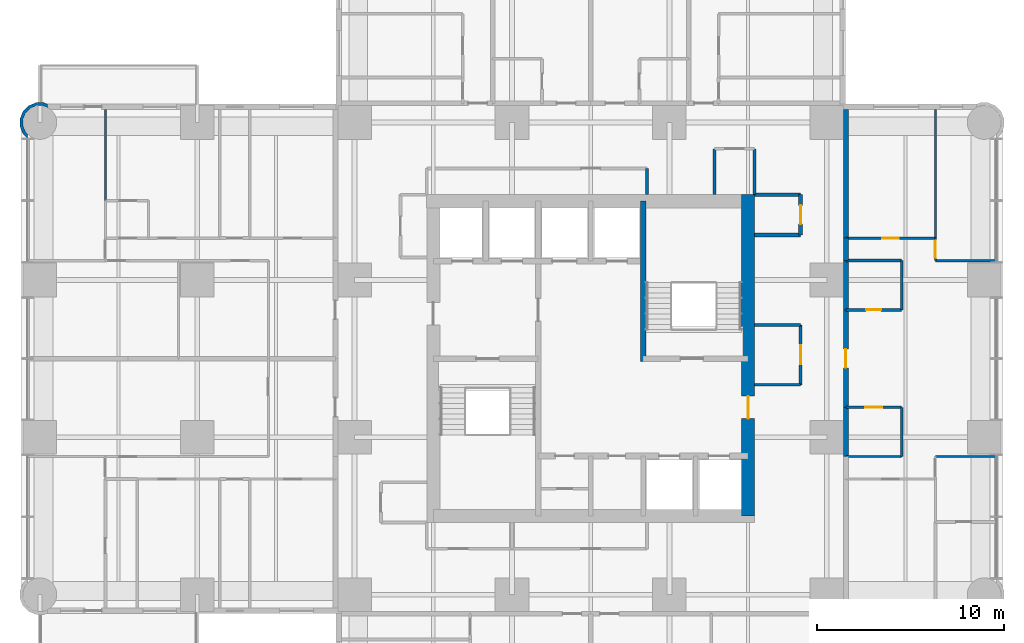
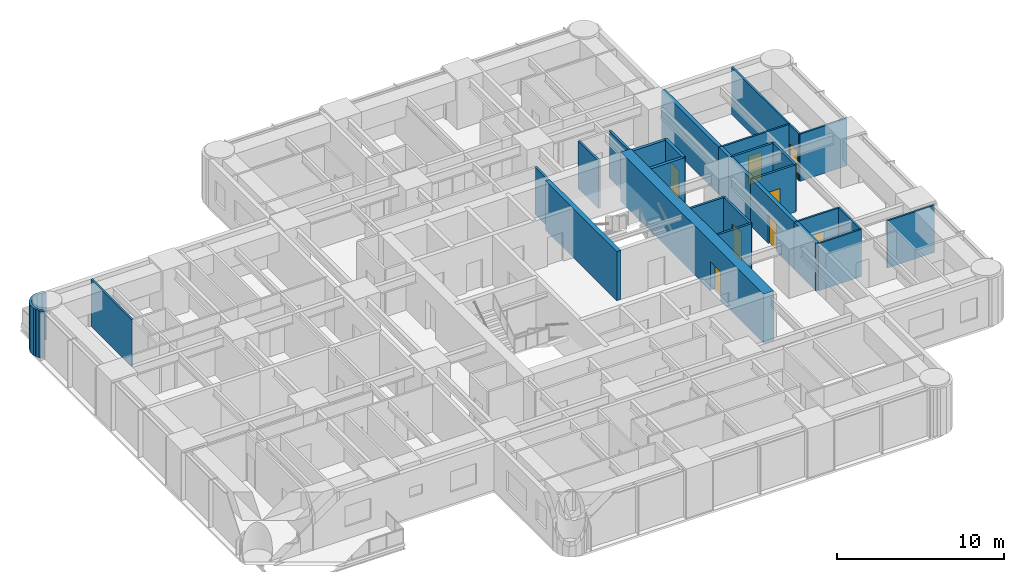
# One storey, part 8 of 11: 29 walls, 8 doors, 8 openings.
"""IFC4 building model written with IfcOpenShell, lengths in metres."""

from ifc_helpers import new_model, si_unit, direction, frame, frame_2d, origin, place, context, subcontext, project, spatial, polyline, rectangle, outline, extrude, material, layer, layer_set, type_object, element, fill, save


model = new_model("IFC4")

# Units and contexts
model_context = context("Model", 3, precision=1e-05, world=origin(), true_north=direction((0.0, 1.0)))
body_context = subcontext(model_context, "Body", "Model", "MODEL_VIEW")
ifc_project = project(units=[si_unit("LENGTHUNIT", "METRE"), si_unit("AREAUNIT", "SQUARE_METRE"), si_unit("VOLUMEUNIT", "CUBIC_METRE"), si_unit("PLANEANGLEUNIT", "RADIAN"), si_unit("MASSUNIT", "GRAM", prefix="KILO")], contexts=[model_context])

# Site, building, storey
site_placement = place(None, origin())
site = spatial("IfcSite", under=ifc_project, at=site_placement, CompositionType="ELEMENT")
building_placement = place(site_placement, origin())
building = spatial("IfcBuilding", under=site, at=building_placement, Name="Torre Alcanfor", CompositionType="ELEMENT")
storey_placement = place(building_placement, frame((0.0, 0.0, 186.89990234375)))
storey = spatial("IfcBuildingStorey", under=building, at=storey_placement, Name="L48", CompositionType="ELEMENT", Elevation=186.89990234375)

# Wall, opening, door
ifc_material_1 = material(Name="Concrete block masonry, hollow blocks NMX-C-404 9 MPa", Category="masonry")
ifc_layer_1 = layer(ifc_material_1, 0.25)
ifc_layer_set_1 = layer_set([ifc_layer_1], Name="Apartment entrance wall 250 EI 60")
wall_type_1 = type_object("IfcWallType", Name="Apartment entrance wall 250 EI 60", PredefinedType="PARTITIONING", material=ifc_layer_set_1)
wall_1_placement = place(storey_placement, frame((43.02490234375, 32.0, 0.0), z_axis=(0.0, 0.0, 1.0), x_axis=(0.0, -1.0, 0.0)))
wall_1 = element("IfcWall", 1, at=wall_1_placement, inside=storey, type_object=wall_type_1, Name="Partition L48-CORR / L48-EX-ZAG", PredefinedType="PARTITIONING", context=body_context, shape_type="SweptSolid", body=[
    extrude(rectangle(XDim=5.199951171875, YDim=0.25, at=frame_2d((2.60009765625, 0.0))), origin(), (0.0, 0.0, 1.0), 3.4501953125),
])
opening_1_placement = place(wall_1_placement, frame((2.10009765625, 0.0, 0.0)))
opening_1 = element("IfcOpeningElement", 2, at=opening_1_placement, cuts=wall_1, Name="Opening D-A1", PredefinedType="OPENING", context=body_context, shape_type="SweptSolid", body=[
    extrude(rectangle(XDim=1.0, YDim=2.10009765625, at=frame_2d((0.5, 1.050048828125))), frame((0.0, 0.135009765625, 0.0), z_axis=(0.0, -1.0, 0.0), x_axis=(1.0, 0.0, 0.0)), (0.0, 0.0, 1.0), 0.27001953125),
])
ifc_material_2 = material(Name="Galvanised steel sheet ASTM A653", Category="steel")
door_type_1 = type_object("IfcDoorType", Name="Apartment entrance door FD60 1000x2100", OperationType="SINGLE_SWING_LEFT", PredefinedType="DOOR", material=ifc_material_2)
door_1_placement = place(opening_1_placement, origin())
door_1 = element("IfcDoor", 3, at=door_1_placement, inside=storey, type_object=door_type_1, Name="Apartment entrance L48-EX", OperationType="SINGLE_SWING_LEFT", OverallHeight=2.10009765625, OverallWidth=1.0, PredefinedType="DOOR", context=body_context, shape_type="SweptSolid", body=[
    extrude(rectangle(XDim=1.0, YDim=2.10009765625, at=frame_2d((0.5, 1.050048828125))), frame((0.0, 0.02490234375, 0.0), z_axis=(0.0, -1.0, 0.0), x_axis=(1.0, 0.0, 0.0)), (0.0, 0.0, 1.0), 0.050048828125),
])
fill(opening_1, door_1)

# Walls
wall_2_placement = place(storey_placement, frame((43.02490234375, 34.62890625, 0.0), z_axis=(0.0, 0.0, 1.0), x_axis=(0.0, -1.0, 0.0)))
element("IfcWall", 4, at=wall_2_placement, inside=storey, type_object=wall_type_1, Name="Partition L48-CORR / L48-EX-BATH2", PredefinedType="PARTITIONING", context=body_context, shape_type="SweptSolid", body=[
    extrude(rectangle(XDim=2.62890625, YDim=0.25, at=frame_2d((1.314453125, 0.0))), origin(), (0.0, 0.0, 1.0), 3.4501953125),
])
wall_3_placement = place(storey_placement, frame((43.02490234375, 26.800048828125, 0.0), z_axis=(0.0, 0.0, 1.0), x_axis=(0.0, -1.0, 0.0)))
element("IfcWall", 5, at=wall_3_placement, inside=storey, type_object=wall_type_1, Name="Partition L48-CORR / L48-EX-KITCHEN", PredefinedType="PARTITIONING", context=body_context, shape_type="SweptSolid", body=[
    extrude(rectangle(XDim=2.629150390625, YDim=0.25, at=frame_2d((1.314453125, 0.0))), origin(), (0.0, 0.0, 1.0), 3.4501953125),
])
wall_4_placement = place(storey_placement, frame((43.02490234375, 35.8291015625, 0.0), z_axis=(0.0, 0.0, 1.0), x_axis=(0.0, -1.0, 0.0)))
element("IfcWall", 6, at=wall_4_placement, inside=storey, type_object=wall_type_1, Name="Partition L48-CORR / L48-EX-LIVING", PredefinedType="PARTITIONING", context=body_context, shape_type="SweptSolid", body=[
    extrude(rectangle(XDim=1.2001953125, YDim=0.25, at=frame_2d((0.60009765625, 0.0))), origin(), (0.0, 0.0, 1.0), 3.4501953125),
])
wall_5_placement = place(storey_placement, frame((43.02490234375, 42.699951171875, 0.0), z_axis=(0.0, 0.0, 1.0), x_axis=(0.0, -1.0, 0.0)))
element("IfcWall", 7, at=wall_5_placement, inside=storey, type_object=wall_type_1, Name="Partition L48-CORR / L48-EX-BED2", PredefinedType="PARTITIONING", context=body_context, shape_type="SweptSolid", body=[
    extrude(rectangle(XDim=6.870849609375, YDim=0.25, at=frame_2d((3.435546875, 0.0))), origin(), (0.0, 0.0, 1.0), 3.4501953125),
])

# Wall, opening, door
ifc_material_3 = material(Name="Gypsum board on steel studs", Category="steel")
ifc_layer_2 = layer(ifc_material_3, 0.1201171875)
ifc_layer_set_2 = layer_set([ifc_layer_2], Name="Apartment partition 120")
wall_type_2 = type_object("IfcWallType", Name="Apartment partition 120", PredefinedType="PARTITIONING", material=ifc_layer_set_2)
wall_6_placement = place(storey_placement, frame((43.02490234375, 26.800048828125, 0.0), z_axis=(0.0, 0.0, 1.0), x_axis=(1.0, 0.0, 0.0)))
wall_6 = element("IfcWall", 8, at=wall_6_placement, inside=storey, type_object=wall_type_2, Name="Partition L48-EX-ZAG / L48-EX-KITCHEN", PredefinedType="PARTITIONING", context=body_context, shape_type="SweptSolid", body=[
    extrude(rectangle(XDim=2.97509765625, YDim=0.1201171875, at=frame_2d((1.487548828125, 0.0))), origin(), (0.0, 0.0, 1.0), 3.4501953125),
])
opening_2_placement = place(wall_6_placement, frame((1.02490234375, 0.0, 0.0)))
opening_2 = element("IfcOpeningElement", 9, at=opening_2_placement, cuts=wall_6, Name="Opening D-R1", PredefinedType="OPENING", context=body_context, shape_type="SweptSolid", body=[
    extrude(rectangle(XDim=0.89990234375, YDim=2.10009765625, at=frame_2d((0.449951171875, 1.050048828125))), frame((0.0, 0.070068359375, 0.0), z_axis=(0.0, -1.0, 0.0), x_axis=(1.0, 0.0, 0.0)), (0.0, 0.0, 1.0), 0.14013671875),
])
ifc_material_4 = material(Name="Timber", Category="wood")
door_type_2 = type_object("IfcDoorType", Name="Internal door 900x2100", OperationType="SINGLE_SWING_LEFT", PredefinedType="DOOR", material=ifc_material_4)
door_2_placement = place(opening_2_placement, frame((0.89990234375, 0.0, 0.0), z_axis=(0.0, 0.0, 1.0), x_axis=(-1.0, 0.0, 0.0)))
door_2 = element("IfcDoor", 10, at=door_2_placement, inside=storey, type_object=door_type_2, Name="Door L48-EX kitchen", OperationType="SINGLE_SWING_RIGHT", OverallHeight=2.10009765625, OverallWidth=0.89990234375, PredefinedType="DOOR", context=body_context, shape_type="SweptSolid", body=[
    extrude(rectangle(XDim=0.89990234375, YDim=2.10009765625, at=frame_2d((0.449951171875, 1.050048828125))), frame((0.0, 0.025146484375, 0.0), z_axis=(0.0, -1.0, 0.0), x_axis=(1.0, 0.0, 0.0)), (0.0, 0.0, 1.0), 0.050048828125),
])
fill(opening_2, door_2)

# Walls
wall_7_placement = place(storey_placement, frame((43.02490234375, 24.1708984375, 0.0), z_axis=(0.0, 0.0, 1.0), x_axis=(1.0, 0.0, 0.0)))
element("IfcWall", 11, at=wall_7_placement, inside=storey, type_object=wall_type_2, Name="Partition L48-EX-KITCHEN / L48-EX-LIVING", PredefinedType="PARTITIONING", context=body_context, shape_type="SweptSolid", body=[
    extrude(rectangle(XDim=2.97509765625, YDim=0.1201171875, at=frame_2d((1.487548828125, 0.0))), origin(), (0.0, 0.0, 1.0), 3.4501953125),
])
wall_8_placement = place(storey_placement, frame((46.0, 24.1708984375, 0.0), z_axis=(0.0, 0.0, 1.0), x_axis=(0.0, 1.0, 0.0)))
element("IfcWall", 12, at=wall_8_placement, inside=storey, type_object=wall_type_2, Name="Partition L48-EX-KITCHEN / L48-EX-LIVING", PredefinedType="PARTITIONING", context=body_context, shape_type="SweptSolid", body=[
    extrude(rectangle(XDim=2.629150390625, YDim=0.1201171875, at=frame_2d((1.314453125, 0.0))), origin(), (0.0, 0.0, 1.0), 3.4501953125),
])

# Wall, opening, door
wall_9_placement = place(storey_placement, frame((43.02490234375, 35.8291015625, 0.0), z_axis=(0.0, 0.0, 1.0), x_axis=(1.0, 0.0, 0.0)))
wall_9 = element("IfcWall", 13, at=wall_9_placement, inside=storey, type_object=wall_type_2, Name="Partition L48-EX-LIVING / L48-EX-BED2", PredefinedType="PARTITIONING", context=body_context, shape_type="SweptSolid", body=[
    extrude(rectangle(XDim=4.775146484375, YDim=0.1201171875, at=frame_2d((2.3876953125, 0.0))), origin(), (0.0, 0.0, 1.0), 3.4501953125),
])
opening_3_placement = place(wall_9_placement, frame((1.925048828125, 0.0, 0.0)))
opening_3 = element("IfcOpeningElement", 14, at=opening_3_placement, cuts=wall_9, Name="Opening D-R1", PredefinedType="OPENING", context=body_context, shape_type="SweptSolid", body=[
    extrude(rectangle(XDim=0.89990234375, YDim=2.10009765625, at=frame_2d((0.449951171875, 1.050048828125))), frame((0.0, 0.070068359375, 0.0), z_axis=(0.0, -1.0, 0.0), x_axis=(1.0, 0.0, 0.0)), (0.0, 0.0, 1.0), 0.14013671875),
])
door_3_placement = place(opening_3_placement, origin())
door_3 = element("IfcDoor", 15, at=door_3_placement, inside=storey, type_object=door_type_2, Name="Door L48-EX bed2", OperationType="SINGLE_SWING_LEFT", OverallHeight=2.10009765625, OverallWidth=0.89990234375, PredefinedType="DOOR", context=body_context, shape_type="SweptSolid", body=[
    extrude(rectangle(XDim=0.89990234375, YDim=2.10009765625, at=frame_2d((0.449951171875, 1.050048828125))), frame((0.0, 0.02490234375, 0.0), z_axis=(0.0, -1.0, 0.0), x_axis=(1.0, 0.0, 0.0)), (0.0, 0.0, 1.0), 0.050048828125),
])
fill(opening_3, door_3)

wall_10_placement = place(storey_placement, frame((47.800048828125, 35.8291015625, 0.0), z_axis=(0.0, 0.0, 1.0), x_axis=(0.0, -1.0, 0.0)))
wall_10 = element("IfcWall", 16, at=wall_10_placement, inside=storey, type_object=wall_type_2, Name="Partition L48-EX-LIVING / L48-EX-MASTER", PredefinedType="PARTITIONING", context=body_context, shape_type="SweptSolid", body=[
    extrude(rectangle(XDim=1.2001953125, YDim=0.1201171875, at=frame_2d((0.60009765625, 0.0))), origin(), (0.0, 0.0, 1.0), 3.4501953125),
])
opening_4_placement = place(wall_10_placement, frame((0.14892578125, 0.0, 0.0)))
opening_4 = element("IfcOpeningElement", 17, at=opening_4_placement, cuts=wall_10, Name="Opening D-R1", PredefinedType="OPENING", context=body_context, shape_type="SweptSolid", body=[
    extrude(rectangle(XDim=0.89990234375, YDim=2.10009765625, at=frame_2d((0.449951171875, 1.050048828125))), frame((0.0, 0.070068359375, 0.0), z_axis=(0.0, -1.0, 0.0), x_axis=(1.0, 0.0, 0.0)), (0.0, 0.0, 1.0), 0.14013671875),
])
door_4_placement = place(opening_4_placement, origin())
door_4 = element("IfcDoor", 18, at=door_4_placement, inside=storey, type_object=door_type_2, Name="Door L48-EX master", OperationType="SINGLE_SWING_RIGHT", OverallHeight=2.10009765625, OverallWidth=0.89990234375, PredefinedType="DOOR", context=body_context, shape_type="SweptSolid", body=[
    extrude(rectangle(XDim=0.89990234375, YDim=2.10009765625, at=frame_2d((0.449951171875, 1.050048828125))), frame((0.0, 0.02490234375, 0.0), z_axis=(0.0, -1.0, 0.0), x_axis=(1.0, 0.0, 0.0)), (0.0, 0.0, 1.0), 0.050048828125),
])
fill(opening_4, door_4)

# Walls
for number, where, z_axis, x_axis, name in (
    (19, (47.800048828125, 34.62890625, 0.0), (0.0, 0.0, 1.0), (1.0, 0.0, 0.0), "Partition L48-EX-LIVING / L48-EX-MASTER"),
    (20, (51.050048828125, 24.1708984375, 0.0), (0.0, 0.0, 1.0), (-1.0, 0.0, 0.0), "Partition L48-EX-LIVING / L48-EX-BED1"),
):
    element("IfcWall", number, at=place(storey_placement, frame(where, z_axis=z_axis, x_axis=x_axis)), inside=storey, type_object=wall_type_2, Name=name, PredefinedType="PARTITIONING", context=body_context, shape_type="SweptSolid", body=[
        extrude(rectangle(XDim=3.25, YDim=0.1201171875, at=frame_2d((1.625, 0.0))), origin(), (0.0, 0.0, 1.0), 3.4501953125),
    ])
wall_11_placement = place(storey_placement, frame((47.800048828125, 35.8291015625, 0.0), z_axis=(0.0, 0.0, 1.0), x_axis=(0.0, 1.0, 0.0)))
element("IfcWall", 21, at=wall_11_placement, inside=storey, type_object=wall_type_2, Name="Partition L48-EX-BED2 / L48-EX-MASTER", PredefinedType="PARTITIONING", context=body_context, shape_type="SweptSolid", body=[
    extrude(rectangle(XDim=6.870849609375, YDim=0.1201171875, at=frame_2d((3.435546875, 0.0))), origin(), (0.0, 0.0, 1.0), 3.4501953125),
])
wall_12_placement = place(storey_placement, frame((3.5, 37.8291015625, 0.0), z_axis=(0.0, 0.0, 1.0), x_axis=(0.0, 1.0, 0.0)))
element("IfcWall", 22, at=wall_12_placement, inside=storey, type_object=wall_type_2, Name="Partition L48-W2-MASTER / L48-W2-WGARD", PredefinedType="PARTITIONING", context=body_context, shape_type="SweptSolid", body=[
    extrude(rectangle(XDim=4.870849609375, YDim=0.1201171875, at=frame_2d((2.435546875, 0.0))), origin(), (0.0, 0.0, 1.0), 3.4501953125),
])
ifc_material_5 = material(Name="Concrete f'c 70 MPa", Category="concrete")
ifc_layer_3 = layer(ifc_material_5, 0.300048828125)
ifc_layer_set_3 = layer_set([ifc_layer_3], Name="Core inner wall 300 f'c70")
wall_type_3 = type_object("IfcWallType", Name="Core inner wall 300 f'c70", PredefinedType="SHEAR", material=ifc_layer_set_3)
wall_13_placement = place(storey_placement, frame((32.199951171875, 29.25, 0.0), z_axis=(0.0, 0.0, 1.0), x_axis=(0.0, 1.0, 0.0)))
element("IfcWall", 23, at=wall_13_placement, inside=storey, type_object=wall_type_3, Name="Core wall X322N L48", PredefinedType="SHEAR", context=body_context, shape_type="SweptSolid", body=[
    extrude(rectangle(XDim=8.550048828125, YDim=0.300048828125, at=frame_2d((4.27490234375, 0.0))), origin(), (0.0, 0.0, 1.0), 3.60009765625),
])

# Wall, opening, door
ifc_material_6 = material(Name="Concrete f'c 70 MPa", Category="concrete")
ifc_layer_4 = layer(ifc_material_6, 0.699951171875)
ifc_layer_set_4 = layer_set([ifc_layer_4], Name="Core wall 700 f'c70")
wall_type_4 = type_object("IfcWallType", Name="Core wall 700 f'c70", PredefinedType="SHEAR", material=ifc_layer_set_4)
wall_14_placement = place(storey_placement, frame((37.800048828125, 21.0, 0.0), z_axis=(0.0, 0.0, 1.0), x_axis=(0.0, 1.0, 0.0)))
wall_14 = element("IfcWall", 24, at=wall_14_placement, inside=storey, type_object=wall_type_4, Name="Core wall OUT-E L48", PredefinedType="SHEAR", context=body_context, shape_type="SweptSolid", body=[
    extrude(rectangle(XDim=17.14990234375, YDim=0.699951171875, at=frame_2d((8.574951171875, 0.0))), origin(), (0.0, 0.0, 1.0), 3.60009765625),
])
opening_5_placement = place(wall_14_placement, frame((5.199951171875, 0.0, 0.0)))
opening_5 = element("IfcOpeningElement", 25, at=opening_5_placement, cuts=wall_14, Name="Opening D-L1", PredefinedType="OPENING", context=body_context, shape_type="SweptSolid", body=[
    extrude(rectangle(XDim=1.199951171875, YDim=2.10009765625, at=frame_2d((0.60009765625, 1.050048828125))), frame((0.0, 0.35986328125, 0.0), z_axis=(0.0, -1.0, 0.0), x_axis=(1.0, 0.0, 0.0)), (0.0, 0.0, 1.0), 0.719970703125),
])
ifc_material_7 = material(Name="Galvanised steel sheet ASTM A653", Category="steel")
door_type_3 = type_object("IfcDoorType", Name="Lobby door FD120 1200x2100", OperationType="SINGLE_SWING_LEFT", PredefinedType="DOOR", material=ifc_material_7)
door_5_placement = place(opening_5_placement, origin())
door_5 = element("IfcDoor", 26, at=door_5_placement, inside=storey, type_object=door_type_3, Name="Lift lobby entrance door L48", OperationType="SINGLE_SWING_LEFT", OverallHeight=2.10009765625, OverallWidth=1.199951171875, PredefinedType="DOOR", context=body_context, shape_type="SweptSolid", body=[
    extrude(rectangle(XDim=1.199951171875, YDim=2.10009765625, at=frame_2d((0.60009765625, 1.050048828125))), frame((0.0, 0.02490234375, 0.0), z_axis=(0.0, -1.0, 0.0), x_axis=(1.0, 0.0, 0.0)), (0.0, 0.0, 1.0), 0.050048828125),
])
fill(opening_5, door_5)

# Wall
ifc_material_8 = material(Name="Concrete block masonry, hollow blocks NMX-C-404 9 MPa", Category="masonry")
ifc_layer_5 = layer(ifc_material_8, 0.199951171875)
ifc_layer_set_5 = layer_set([ifc_layer_5], Name="Plant room wall 200 EI 60")
wall_type_5 = type_object("IfcWallType", Name="Plant room wall 200 EI 60", PredefinedType="PARTITIONING", material=ifc_layer_set_5)
wall_15_placement = place(storey_placement, frame((38.14990234375, 36.0, 0.0), z_axis=(0.0, 0.0, 1.0), x_axis=(1.0, 0.0, 0.0)))
element("IfcWall", 27, at=wall_15_placement, inside=storey, type_object=wall_type_5, Name="Partition L48-CORR / L48-G04", PredefinedType="PARTITIONING", context=body_context, shape_type="SweptSolid", body=[
    extrude(rectangle(XDim=2.4501953125, YDim=0.199951171875, at=frame_2d((1.22509765625, 0.0))), origin(), (0.0, 0.0, 1.0), 3.4501953125),
])

# Wall, opening, door
wall_16_placement = place(storey_placement, frame((40.60009765625, 36.0, 0.0), z_axis=(0.0, 0.0, 1.0), x_axis=(0.0, 1.0, 0.0)))
wall_16 = element("IfcWall", 28, at=wall_16_placement, inside=storey, type_object=wall_type_5, Name="Partition L48-CORR / L48-G04", PredefinedType="PARTITIONING", context=body_context, shape_type="SweptSolid", body=[
    extrude(rectangle(XDim=2.14990234375, YDim=0.199951171875, at=frame_2d((1.074951171875, 0.0))), origin(), (0.0, 0.0, 1.0), 3.4501953125),
])
opening_6_placement = place(wall_16_placement, frame((0.574951171875, 0.0, 0.0)))
opening_6 = element("IfcOpeningElement", 29, at=opening_6_placement, cuts=wall_16, Name="Opening D-K1", PredefinedType="OPENING", context=body_context, shape_type="SweptSolid", body=[
    extrude(rectangle(XDim=1.0, YDim=2.10009765625, at=frame_2d((0.5, 1.050048828125))), frame((0.0, 0.10986328125, 0.0), z_axis=(0.0, -1.0, 0.0), x_axis=(1.0, 0.0, 0.0)), (0.0, 0.0, 1.0), 0.219970703125),
])
ifc_material_9 = material(Name="Galvanised steel sheet ASTM A653", Category="steel")
door_type_4 = type_object("IfcDoorType", Name="Core room door FD60 1000x2100", OperationType="SINGLE_SWING_LEFT", PredefinedType="DOOR", material=ifc_material_9)
door_6_placement = place(opening_6_placement, origin())
door_6 = element("IfcDoor", 30, at=door_6_placement, inside=storey, type_object=door_type_4, Name="Door L48-G04 refuse and recycling store", OperationType="SINGLE_SWING_LEFT", OverallHeight=2.10009765625, OverallWidth=1.0, PredefinedType="DOOR", context=body_context, shape_type="SweptSolid", body=[
    extrude(rectangle(XDim=1.0, YDim=2.10009765625, at=frame_2d((0.5, 1.050048828125))), frame((0.0, 0.02490234375, 0.0), z_axis=(0.0, -1.0, 0.0), x_axis=(1.0, 0.0, 0.0)), (0.0, 0.0, 1.0), 0.050048828125),
])
fill(opening_6, door_6)

# Walls
wall_17_placement = place(storey_placement, frame((40.60009765625, 38.14990234375, 0.0), z_axis=(0.0, 0.0, 1.0), x_axis=(-1.0, 0.0, 0.0)))
element("IfcWall", 31, at=wall_17_placement, inside=storey, type_object=wall_type_5, Name="Partition L48-CORR / L48-G04", PredefinedType="PARTITIONING", context=body_context, shape_type="SweptSolid", body=[
    extrude(rectangle(XDim=2.4501953125, YDim=0.199951171875, at=frame_2d((1.22509765625, 0.0))), origin(), (0.0, 0.0, 1.0), 3.4501953125),
])
ifc_material_10 = material(Name="Concrete block masonry, hollow blocks NMX-C-404 9 MPa", Category="masonry")
ifc_layer_6 = layer(ifc_material_10, 0.14990234375)
ifc_layer_set_6 = layer_set([ifc_layer_6], Name="Residents' room partition 150")
wall_type_6 = type_object("IfcWallType", Name="Residents' room partition 150", PredefinedType="PARTITIONING", material=ifc_layer_set_6)
wall_18_placement = place(storey_placement, frame((32.39990234375, 38.14990234375, 0.0), z_axis=(0.0, 0.0, 1.0), x_axis=(0.0, 1.0, 0.0)))
element("IfcWall", 32, at=wall_18_placement, inside=storey, type_object=wall_type_6, Name="Partition L48-CORR / L48-G01", PredefinedType="PARTITIONING", context=body_context, shape_type="SweptSolid", body=[
    extrude(rectangle(XDim=1.400146484375, YDim=0.14990234375, at=frame_2d((0.7001953125, 0.0))), origin(), (0.0, 0.0, 1.0), 3.4501953125),
])
for number, where, z_axis, x_axis, name in (
    (33, (38.14990234375, 38.14990234375, 0.0), (0.0, 0.0, 1.0), (0.0, 1.0, 0.0), "Partition L48-CORR / L48-G02"),
    (34, (36.0, 40.60009765625, 0.0), (0.0, 0.0, 1.0), (0.0, -1.0, 0.0), "Partition L48-CORR / L48-G02"),
    (35, (38.14990234375, 28.0, 0.0), (0.0, 0.0, 1.0), (1.0, 0.0, 0.0), "Partition L48-CORR / L48-G03"),
):
    element("IfcWall", number, at=place(storey_placement, frame(where, z_axis=z_axis, x_axis=x_axis)), inside=storey, type_object=wall_type_6, Name=name, PredefinedType="PARTITIONING", context=body_context, shape_type="SweptSolid", body=[
        extrude(rectangle(XDim=2.4501953125, YDim=0.14990234375, at=frame_2d((1.22509765625, 0.0))), origin(), (0.0, 0.0, 1.0), 3.4501953125),
    ])

# Wall, opening, door
wall_19_placement = place(storey_placement, frame((40.60009765625, 28.0, 0.0), z_axis=(0.0, 0.0, 1.0), x_axis=(0.0, 1.0, 0.0)))
wall_19 = element("IfcWall", 36, at=wall_19_placement, inside=storey, type_object=wall_type_6, Name="Partition L48-CORR / L48-G03", PredefinedType="PARTITIONING", context=body_context, shape_type="SweptSolid", body=[
    extrude(rectangle(XDim=3.199951171875, YDim=0.14990234375, at=frame_2d((1.60009765625, 0.0))), origin(), (0.0, 0.0, 1.0), 3.4501953125),
])
opening_7_placement = place(wall_19_placement, frame((1.10009765625, 0.0, 0.0)))
opening_7 = element("IfcOpeningElement", 37, at=opening_7_placement, cuts=wall_19, Name="Opening D-M1", PredefinedType="OPENING", context=body_context, shape_type="SweptSolid", body=[
    extrude(rectangle(XDim=1.0, YDim=2.10009765625, at=frame_2d((0.5, 1.050048828125))), frame((0.0, 0.0849609375, 0.0), z_axis=(0.0, -1.0, 0.0), x_axis=(1.0, 0.0, 0.0)), (0.0, 0.0, 1.0), 0.169921875),
])
ifc_material_11 = material(Name="Timber", Category="wood")
door_type_5 = type_object("IfcDoorType", Name="Residents' room door 1000x2100", OperationType="SINGLE_SWING_LEFT", PredefinedType="DOOR", material=ifc_material_11)
door_7_placement = place(opening_7_placement, origin())
door_7 = element("IfcDoor", 38, at=door_7_placement, inside=storey, type_object=door_type_5, Name="Door L48-G03 cleaners' store", OperationType="SINGLE_SWING_LEFT", OverallHeight=2.10009765625, OverallWidth=1.0, PredefinedType="DOOR", context=body_context, shape_type="SweptSolid", body=[
    extrude(rectangle(XDim=1.0, YDim=2.10009765625, at=frame_2d((0.5, 1.050048828125))), frame((0.0, 0.02490234375, 0.0), z_axis=(0.0, -1.0, 0.0), x_axis=(1.0, 0.0, 0.0)), (0.0, 0.0, 1.0), 0.050048828125),
])
fill(opening_7, door_7)

# Walls
wall_20_placement = place(storey_placement, frame((40.60009765625, 31.199951171875, 0.0), z_axis=(0.0, 0.0, 1.0), x_axis=(-1.0, 0.0, 0.0)))
element("IfcWall", 39, at=wall_20_placement, inside=storey, type_object=wall_type_6, Name="Partition L48-CORR / L48-G03", PredefinedType="PARTITIONING", context=body_context, shape_type="SweptSolid", body=[
    extrude(rectangle(XDim=2.4501953125, YDim=0.14990234375, at=frame_2d((1.22509765625, 0.0))), origin(), (0.0, 0.0, 1.0), 3.4501953125),
])
ifc_material_12 = material(Name="Limestone cladding", Category="masonry")
ifc_layer_7 = layer(ifc_material_12, 0.0400390625, Name="Facing")
ifc_material_13 = material(Name="Ventilated air cavity")
ifc_layer_8 = layer(ifc_material_13, 0.02001953125, ventilated=True, Name="Ventilated joint")
ifc_material_14 = material(Name="Mineral wool insulation", Category="insulation")
ifc_layer_9 = layer(ifc_material_14, 0.10009765625, Name="Insulation")
ifc_material_15 = material(Name="Concrete f'c 35 MPa", Category="concrete")
ifc_layer_10 = layer(ifc_material_15, 0.139892578125, Name="Backing")
ifc_layer_set_7 = layer_set([ifc_layer_7, ifc_layer_8, ifc_layer_9, ifc_layer_10], Name="Rounded corner pier stone-clad 300")
wall_type_7 = type_object("IfcWallType", Name="Rounded corner pier stone-clad 300", PredefinedType="SOLIDWALL", material=ifc_layer_set_7)
wall_21_placement = place(storey_placement, frame((0.363962863, 42.909907157, 0.0), z_axis=(0.0, 0.0, 1.0), x_axis=(-0.926129809145, 0.377204953059, 0.0)))
element("IfcWall", 40, at=wall_21_placement, inside=storey, type_object=wall_type_7, Name="Corner pier L48 13", PredefinedType="SOLIDWALL", context=body_context, shape_type="SweptSolid", body=[
    extrude(outline(polyline([(0.36027248147905344, 1.8032799323574271), (0.5087783723473315, 1.740921099842025), (0.7605913470133172, 1.4857584601095954), (0.8957810128069955, 1.1538349835897281), (0.8939031559639274, 0.7953461823991875), (0.7547957339381889, 0.4650577343600455), (0.4996330942057594, 0.21324475969405968), (0.1677096176858921, 0.07805509390038129), (-0.09992182078970525, 0.07950523369113624), (0.0006988421670046999, -0.09699421764222865), (0.0300177129428464, -0.08030783699434613), (0.19858532179107968, -0.08124570553990346), (0.5888441232034033, 0.0777034519259609), (0.8888369702307105, 0.374136779300854), (1.052603126025944, 0.7629734686109036), (1.0550818122472803, 1.1847106876949156), (0.8961326547814159, 1.5749694891072394), (0.7776866026168303, 1.6949130219751851), (0.7691400347446393, 1.7275471706587737), (0.7502646662372825, 1.7227591424871238), (0.599699327406523, 1.8749623361345464), (0.2945484394782597, 2.0034825844222954), (0.2809820848521072, 1.9979571212427172), (0.36027248147905344, 1.8032799323574271)])), origin(), (0.0, 0.0, 1.0), 3.4501953125),
])

# Wall, opening, door
ifc_material_16 = material(Name="Cement board on steel studs", Category="steel")
ifc_layer_11 = layer(ifc_material_16, 0.14990234375)
ifc_layer_set_8 = layer_set([ifc_layer_11], Name="Wet area partition 150")
wall_type_8 = type_object("IfcWallType", Name="Wet area partition 150", PredefinedType="PARTITIONING", material=ifc_layer_set_8)
wall_22_placement = place(storey_placement, frame((46.0, 32.0, 0.0), z_axis=(0.0, 0.0, 1.0), x_axis=(-1.0, 0.0, 0.0)))
wall_22 = element("IfcWall", 41, at=wall_22_placement, inside=storey, type_object=wall_type_8, Name="Partition L48-EX-ZAG / L48-EX-BATH2", PredefinedType="PARTITIONING", context=body_context, shape_type="SweptSolid", body=[
    extrude(rectangle(XDim=2.97509765625, YDim=0.14990234375, at=frame_2d((1.487548828125, 0.0))), origin(), (0.0, 0.0, 1.0), 3.4501953125),
])
opening_8_placement = place(wall_22_placement, frame((1.10009765625, 0.0, 0.0)))
opening_8 = element("IfcOpeningElement", 42, at=opening_8_placement, cuts=wall_22, Name="Opening D-R2", PredefinedType="OPENING", context=body_context, shape_type="SweptSolid", body=[
    extrude(rectangle(XDim=0.800048828125, YDim=2.10009765625, at=frame_2d((0.39990234375, 1.050048828125))), frame((0.0, 0.0849609375, 0.0), z_axis=(0.0, -1.0, 0.0), x_axis=(1.0, 0.0, 0.0)), (0.0, 0.0, 1.0), 0.169921875),
])
ifc_material_17 = material(Name="Timber", Category="wood")
door_type_6 = type_object("IfcDoorType", Name="Bathroom door 800x2100", OperationType="SINGLE_SWING_LEFT", PredefinedType="DOOR", material=ifc_material_17)
door_8_placement = place(opening_8_placement, frame((0.800048828125, 0.0, 0.0), z_axis=(0.0, 0.0, 1.0), x_axis=(-1.0, 0.0, 0.0)))
door_8 = element("IfcDoor", 43, at=door_8_placement, inside=storey, type_object=door_type_6, Name="Door L48-EX bath2", OperationType="SINGLE_SWING_LEFT", OverallHeight=2.10009765625, OverallWidth=0.800048828125, PredefinedType="DOOR", context=body_context, shape_type="SweptSolid", body=[
    extrude(rectangle(XDim=0.800048828125, YDim=2.10009765625, at=frame_2d((0.400146484375, 1.050048828125))), frame((0.0, 0.025146484375, 0.0), z_axis=(0.0, -1.0, 0.0), x_axis=(1.0, 0.0, 0.0)), (0.0, 0.0, 1.0), 0.050048828125),
])
fill(opening_8, door_8)

# Walls
wall_23_placement = place(storey_placement, frame((46.0, 32.0, 0.0), z_axis=(0.0, 0.0, 1.0), x_axis=(0.0, 1.0, 0.0)))
element("IfcWall", 44, at=wall_23_placement, inside=storey, type_object=wall_type_8, Name="Partition L48-EX-BATH2 / L48-EX-LIVING", PredefinedType="PARTITIONING", context=body_context, shape_type="SweptSolid", body=[
    extrude(rectangle(XDim=2.62890625, YDim=0.14990234375, at=frame_2d((1.314453125, 0.0))), origin(), (0.0, 0.0, 1.0), 3.4501953125),
])
wall_24_placement = place(storey_placement, frame((46.0, 34.62890625, 0.0), z_axis=(0.0, 0.0, 1.0), x_axis=(-1.0, 0.0, 0.0)))
element("IfcWall", 45, at=wall_24_placement, inside=storey, type_object=wall_type_8, Name="Partition L48-EX-BATH2 / L48-EX-LIVING", PredefinedType="PARTITIONING", context=body_context, shape_type="SweptSolid", body=[
    extrude(rectangle(XDim=2.97509765625, YDim=0.14990234375, at=frame_2d((1.487548828125, 0.0))), origin(), (0.0, 0.0, 1.0), 3.4501953125),
])

save(model, "model.ifc")
